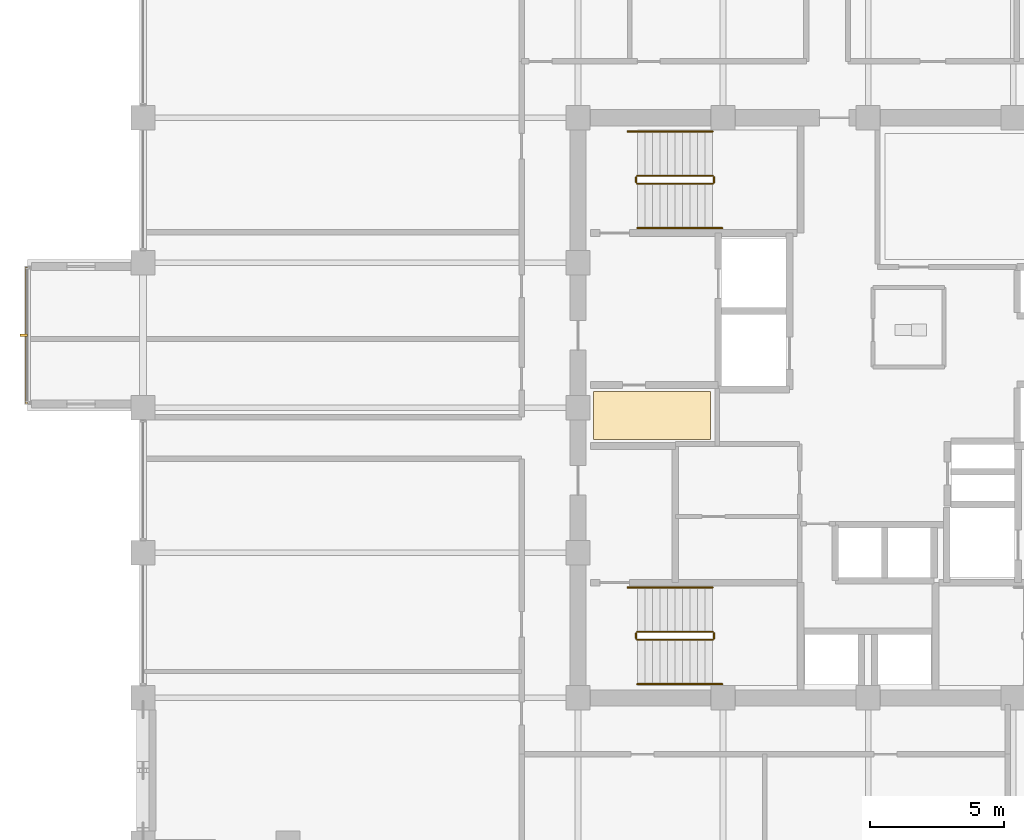
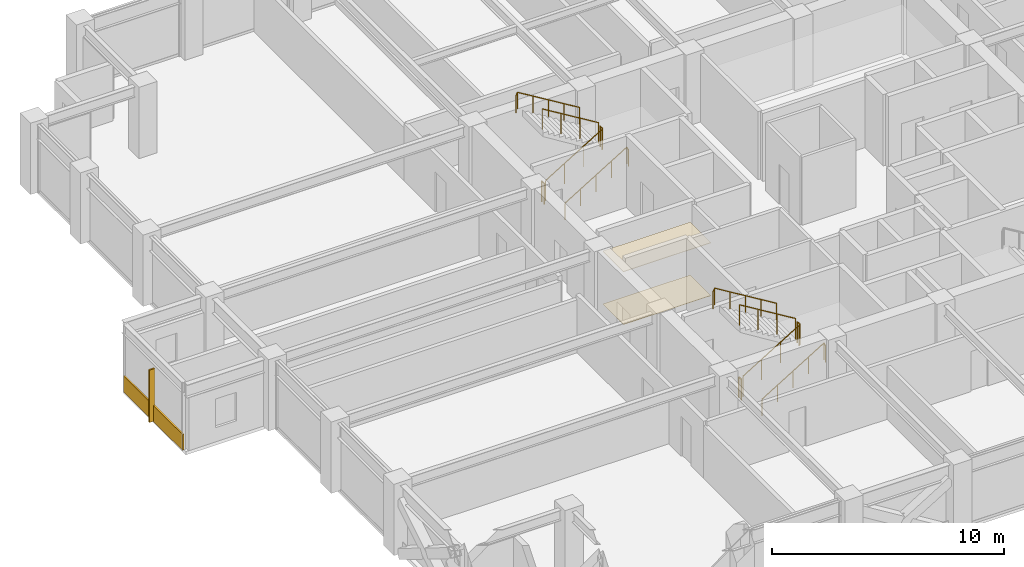
# One storey, part 26 of 28: 12 railings, 3 coverings, 1 shading device.
"""IFC4 building model written with IfcOpenShell, lengths in metres."""

from ifc_helpers import new_model, si_unit, direction, frame, origin, origin_2d, place, context, subcontext, project, spatial, polyline, rectangle, circle, outline, extrude, material, layer, layer_set, type_object, element, save


model = new_model("IFC4")

# Units and contexts
model_context = context("Model", 3, precision=1e-05, world=origin(), true_north=direction((0.0, 1.0)))
body_context = subcontext(model_context, "Body", "Model", "MODEL_VIEW")
ifc_project = project(units=[si_unit("LENGTHUNIT", "METRE"), si_unit("AREAUNIT", "SQUARE_METRE"), si_unit("VOLUMEUNIT", "CUBIC_METRE"), si_unit("PLANEANGLEUNIT", "RADIAN"), si_unit("MASSUNIT", "GRAM", prefix="KILO")], contexts=[model_context])

# Site, building, storey
site_placement = place(None, origin())
site = spatial("IfcSite", under=ifc_project, at=site_placement, CompositionType="ELEMENT")
building_placement = place(site_placement, origin())
building = spatial("IfcBuilding", under=site, at=building_placement, Name="Surkhivell Harbour Commons", CompositionType="ELEMENT")
storey_placement = place(building_placement, frame((0.0, 0.0, 174.75)))
storey = spatial("IfcBuildingStorey", under=building, at=storey_placement, Name="L45", CompositionType="ELEMENT", Elevation=174.75)

# Coverings
ifc_material_1 = material(Name="Perforated acoustic mineral-fibre ceiling tile", Category="other")
ifc_layer_1 = layer(ifc_material_1, 0.02490234375)
ifc_layer_set_1 = layer_set([ifc_layer_1], Name="Perforated acoustic mineral-fibre ceiling tile")
covering_type_1 = type_object("IfcCoveringType", Name="COV-CEIL-AC", PredefinedType="CEILING", material=ifc_layer_set_1)
covering_1_placement = place(storey_placement, frame((0.0, 0.0, 2.77490234375)))
element("IfcCovering", 1, at=covering_1_placement, inside=storey, type_object=covering_type_1, Name="L45 Suspended Acoustic Ceiling 1", PredefinedType="CEILING", context=body_context, shape_type="SweptSolid", body=[
    extrude(outline(polyline([(-10.219970703125, -1.179931640625), (-5.8701171875, -1.179931640625), (-5.8701171875, 0.60009765625), (-10.219970703125, 0.60009765625), (-10.219970703125, -1.179931640625)])), origin(), (0.0, 0.0, 1.0), 0.025146484375),
])
ifc_material_2 = material(Name="Cobalt-azure enamelled aluminium cassette panel", Category="aluminium")
ifc_layer_2 = layer(ifc_material_2, 0.072021484375)
ifc_layer_set_2 = layer_set([ifc_layer_2], Name="Cobalt-azure enamelled aluminium cassette panel")
covering_type_2 = type_object("IfcCoveringType", Name="COV-CLAD-COB", PredefinedType="CLADDING", material=ifc_layer_set_2)
covering_2_placement = place(storey_placement, frame((-31.340087890625, 2.699951171875, 0.0), z_axis=(0.0, 0.0, 1.0), x_axis=(1.0, 0.0, 0.0)))
element("IfcCovering", 2, at=covering_2_placement, inside=storey, type_object=covering_type_2, Name="L45 Coloured-Panel Box Spandrel Cassette 02", PredefinedType="CLADDING", context=body_context, shape_type="SweptSolid", body=[
    extrude(rectangle(XDim=0.080078125, YDim=5.10009765625, at=origin_2d()), origin(), (0.0, 0.0, 1.0), 0.840087890625),
])
ifc_material_3 = material(Name="Engineered acoustic oak timber flooring", Category="wood")
ifc_layer_3 = layer(ifc_material_3, 0.02001953125)
ifc_layer_set_3 = layer_set([ifc_layer_3], Name="Engineered acoustic oak timber flooring")
covering_type_3 = type_object("IfcCoveringType", Name="COV-FLR-TIM", PredefinedType="FLOORING", material=ifc_layer_set_3)
covering_3_placement = place(storey_placement, origin())
element("IfcCovering", 3, at=covering_3_placement, inside=storey, type_object=covering_type_3, Name="L45 Interior Floor Finish 1", PredefinedType="FLOORING", context=body_context, shape_type="SweptSolid", body=[
    extrude(outline(polyline([(-10.219970703125, -1.179931640625), (-5.8701171875, -1.179931640625), (-5.8701171875, 0.60009765625), (-10.219970703125, 0.60009765625), (-10.219970703125, -1.179931640625)])), origin(), (0.0, 0.0, 1.0), 0.02001953125),
])

# Railings
ifc_material_4 = material(Name="Galvanised and painted steel S355 guard rail", Category="steel")
railing_type_1 = type_object("IfcRailingType", Name="RAL-ST-GRD1100", PredefinedType="GUARDRAIL", material=ifc_material_4)
railing_1_placement = place(storey_placement, frame((-8.590087890625, 8.340087890625, 0.17041015625)))
element("IfcRailing", 4, at=railing_1_placement, inside=storey, type_object=railing_type_1, Name="L45 ST1 stair guard 1", PredefinedType="GUARDRAIL", context=body_context, shape_type="SweptSolid", body=[
    extrude(circle(Radius=0.02392578125, at=origin_2d()), frame((0.0, 0.0, 1.076171875), z_axis=(0.854169791009, 0.0, 0.51999420009), x_axis=(0.0, 1.0, 0.0)), (0.0, 0.0, 1.0), 3.278076171875),
    extrude(circle(Radius=0.02099609375, at=origin_2d()), origin(), (0.0, 0.0, 1.0), 1.052001953125),
    extrude(circle(Radius=0.02099609375, at=origin_2d()), frame((0.933349609375, 0.0, 0.568115234375)), (0.0, 0.0, 1.0), 1.052001953125),
    extrude(circle(Radius=0.02099609375, at=origin_2d()), frame((1.86669921875, 0.0, 1.136474609375)), (0.0, 0.0, 1.0), 1.052001953125),
    extrude(circle(Radius=0.02099609375, at=origin_2d()), frame((2.800048828125, 0.0, 1.70458984375)), (0.0, 0.0, 1.0), 1.052001953125),
])
railing_2_placement = place(storey_placement, frame((-5.739990234375, 8.389892578125, 1.875)))
element("IfcRailing", 5, at=railing_2_placement, inside=storey, type_object=railing_type_1, Name="L45 ST1 stair guard 2", PredefinedType="GUARDRAIL", context=body_context, shape_type="SweptSolid", body=[
    extrude(circle(Radius=0.02392578125, at=origin_2d()), frame((0.0, 0.0, 1.076171875), z_axis=(0.0, 1.0, 0.0), x_axis=(-1.0, 0.0, 0.0)), (0.0, 0.0, 1.0), 0.2001953125),
    extrude(circle(Radius=0.02099609375, at=origin_2d()), origin(), (0.0, 0.0, 1.0), 1.052001953125),
    extrude(circle(Radius=0.02099609375, at=origin_2d()), frame((0.0, 0.2001953125, 0.0)), (0.0, 0.0, 1.0), 1.052001953125),
])
railing_3_placement = place(storey_placement, frame((-5.7900390625, 8.639892578125, 2.04541015625)))
element("IfcRailing", 6, at=railing_3_placement, inside=storey, type_object=railing_type_1, Name="L45 ST1 stair guard 3", PredefinedType="GUARDRAIL", context=body_context, shape_type="SweptSolid", body=[
    extrude(circle(Radius=0.02392578125, at=origin_2d()), frame((0.0, 0.0, 1.076171875), z_axis=(-0.854169791009, 0.0, 0.51999420009), x_axis=(0.0, -1.0, 0.0)), (0.0, 0.0, 1.0), 3.278076171875),
    extrude(circle(Radius=0.02099609375, at=origin_2d()), origin(), (0.0, 0.0, 1.0), 1.052001953125),
    extrude(circle(Radius=0.02099609375, at=origin_2d()), frame((-0.933349609375, 0.0, 0.568115234375)), (0.0, 0.0, 1.0), 1.052001953125),
    extrude(circle(Radius=0.02099609375, at=origin_2d()), frame((-1.86669921875, 0.0, 1.136474609375)), (0.0, 0.0, 1.0), 1.052001953125),
    extrude(circle(Radius=0.02099609375, at=origin_2d()), frame((-2.800048828125, 0.0, 1.70458984375)), (0.0, 0.0, 1.0), 1.052001953125),
])
railing_4_placement = place(storey_placement, frame((-8.639892578125, 8.389892578125, 0.0)))
element("IfcRailing", 7, at=railing_4_placement, inside=storey, type_object=railing_type_1, Name="L45 ST1 stair guard 4", PredefinedType="GUARDRAIL", context=body_context, shape_type="SweptSolid", body=[
    extrude(circle(Radius=0.02392578125, at=origin_2d()), frame((0.0, 0.0, 1.076171875), z_axis=(0.0, 1.0, 0.0), x_axis=(-1.0, 0.0, 0.0)), (0.0, 0.0, 1.0), 0.2001953125),
    extrude(circle(Radius=0.02099609375, at=origin_2d()), origin(), (0.0, 0.0, 1.0), 1.052001953125),
    extrude(circle(Radius=0.02099609375, at=origin_2d()), frame((0.0, 0.2001953125, 0.0)), (0.0, 0.0, 1.0), 1.052001953125),
])
railing_5_placement = place(storey_placement, frame((-8.590087890625, -8.639892578125, 0.17041015625)))
element("IfcRailing", 8, at=railing_5_placement, inside=storey, type_object=railing_type_1, Name="L45 ST3 stair guard 1", PredefinedType="GUARDRAIL", context=body_context, shape_type="SweptSolid", body=[
    extrude(circle(Radius=0.02392578125, at=origin_2d()), frame((0.0, 0.0, 1.076171875), z_axis=(0.854169791009, 0.0, 0.51999420009), x_axis=(0.0, 1.0, 0.0)), (0.0, 0.0, 1.0), 3.278076171875),
    extrude(circle(Radius=0.02099609375, at=origin_2d()), origin(), (0.0, 0.0, 1.0), 1.052001953125),
    extrude(circle(Radius=0.02099609375, at=origin_2d()), frame((0.933349609375, 0.0, 0.568115234375)), (0.0, 0.0, 1.0), 1.052001953125),
    extrude(circle(Radius=0.02099609375, at=origin_2d()), frame((1.86669921875, 0.0, 1.136474609375)), (0.0, 0.0, 1.0), 1.052001953125),
    extrude(circle(Radius=0.02099609375, at=origin_2d()), frame((2.800048828125, 0.0, 1.70458984375)), (0.0, 0.0, 1.0), 1.052001953125),
])
railing_6_placement = place(storey_placement, frame((-5.739990234375, -8.590087890625, 1.875)))
element("IfcRailing", 9, at=railing_6_placement, inside=storey, type_object=railing_type_1, Name="L45 ST3 stair guard 2", PredefinedType="GUARDRAIL", context=body_context, shape_type="SweptSolid", body=[
    extrude(circle(Radius=0.02392578125, at=origin_2d()), frame((0.0, 0.0, 1.076171875), z_axis=(0.0, 1.0, 0.0), x_axis=(-1.0, 0.0, 0.0)), (0.0, 0.0, 1.0), 0.2001953125),
    extrude(circle(Radius=0.02099609375, at=origin_2d()), origin(), (0.0, 0.0, 1.0), 1.052001953125),
    extrude(circle(Radius=0.02099609375, at=origin_2d()), frame((0.0, 0.2001953125, 0.0)), (0.0, 0.0, 1.0), 1.052001953125),
])
railing_7_placement = place(storey_placement, frame((-5.7900390625, -8.340087890625, 2.04541015625)))
element("IfcRailing", 10, at=railing_7_placement, inside=storey, type_object=railing_type_1, Name="L45 ST3 stair guard 3", PredefinedType="GUARDRAIL", context=body_context, shape_type="SweptSolid", body=[
    extrude(circle(Radius=0.02392578125, at=origin_2d()), frame((0.0, 0.0, 1.076171875), z_axis=(-0.854169791009, 0.0, 0.51999420009), x_axis=(0.0, -1.0, 0.0)), (0.0, 0.0, 1.0), 3.278076171875),
    extrude(circle(Radius=0.02099609375, at=origin_2d()), origin(), (0.0, 0.0, 1.0), 1.052001953125),
    extrude(circle(Radius=0.02099609375, at=origin_2d()), frame((-0.933349609375, 0.0, 0.568115234375)), (0.0, 0.0, 1.0), 1.052001953125),
    extrude(circle(Radius=0.02099609375, at=origin_2d()), frame((-1.86669921875, 0.0, 1.136474609375)), (0.0, 0.0, 1.0), 1.052001953125),
    extrude(circle(Radius=0.02099609375, at=origin_2d()), frame((-2.800048828125, 0.0, 1.70458984375)), (0.0, 0.0, 1.0), 1.052001953125),
])
railing_8_placement = place(storey_placement, frame((-8.639892578125, -8.590087890625, 0.0)))
element("IfcRailing", 11, at=railing_8_placement, inside=storey, type_object=railing_type_1, Name="L45 ST3 stair guard 4", PredefinedType="GUARDRAIL", context=body_context, shape_type="SweptSolid", body=[
    extrude(circle(Radius=0.02392578125, at=origin_2d()), frame((0.0, 0.0, 1.076171875), z_axis=(0.0, 1.0, 0.0), x_axis=(-1.0, 0.0, 0.0)), (0.0, 0.0, 1.0), 0.2001953125),
    extrude(circle(Radius=0.02099609375, at=origin_2d()), origin(), (0.0, 0.0, 1.0), 1.052001953125),
    extrude(circle(Radius=0.02099609375, at=origin_2d()), frame((0.0, 0.2001953125, 0.0)), (0.0, 0.0, 1.0), 1.052001953125),
])
ifc_material_5 = material(Name="Brushed stainless steel S355 handrail", Category="steel")
railing_type_2 = type_object("IfcRailingType", Name="RAL-ST-HND900", PredefinedType="HANDRAIL", material=ifc_material_5)
railing_9_placement = place(storey_placement, frame((-8.590087890625, 6.68994140625, 0.17041015625)))
element("IfcRailing", 12, at=railing_9_placement, inside=storey, type_object=railing_type_2, Name="L45 ST1 stair handrail 1", PredefinedType="HANDRAIL", context=body_context, shape_type="SweptSolid", body=[
    extrude(circle(Radius=0.02392578125, at=origin_2d()), frame((0.0, 0.0, 0.8759765625), z_axis=(0.854177636135, 0.0, 0.519981313056), x_axis=(0.0, 1.0, 0.0)), (0.0, 0.0, 1.0), 3.60595703125),
    extrude(circle(Radius=0.02392578125, at=origin_2d()), frame((3.080078125, 0.0, 2.7509765625), z_axis=(0.425297416671, 0.0, -0.905053648892), x_axis=(0.0, 1.0, 0.0)), (0.0, 0.0, 1.0), 0.188232421875),
    extrude(circle(Radius=0.02099609375, at=origin_2d()), origin(), (0.0, 0.0, 1.0), 0.851806640625),
    extrude(circle(Radius=0.02099609375, at=origin_2d()), frame((0.77001953125, 0.0, 0.46875)), (0.0, 0.0, 1.0), 0.851806640625),
    extrude(circle(Radius=0.02099609375, at=origin_2d()), frame((1.5400390625, 0.0, 0.9375)), (0.0, 0.0, 1.0), 0.851806640625),
    extrude(circle(Radius=0.02099609375, at=origin_2d()), frame((2.31005859375, 0.0, 1.40625)), (0.0, 0.0, 1.0), 0.851806640625),
    extrude(circle(Radius=0.02099609375, at=origin_2d()), frame((3.080078125, 0.0, 1.875)), (0.0, 0.0, 1.0), 0.851806640625),
    extrude(circle(Radius=0.02099609375, at=origin_2d()), frame((3.16015625, 0.0, 1.70458984375)), (0.0, 0.0, 1.0), 0.851806640625),
])
railing_10_placement = place(storey_placement, frame((-5.7900390625, 10.2900390625, 2.04541015625)))
element("IfcRailing", 13, at=railing_10_placement, inside=storey, type_object=railing_type_2, Name="L45 ST1 stair handrail 2", PredefinedType="HANDRAIL", context=body_context, shape_type="SweptSolid", body=[
    extrude(circle(Radius=0.02392578125, at=origin_2d()), frame((0.0, 0.0, 0.8759765625), z_axis=(-0.854177636135, 0.0, 0.519981313056), x_axis=(0.0, -1.0, 0.0)), (0.0, 0.0, 1.0), 3.60595703125),
    extrude(circle(Radius=0.02392578125, at=origin_2d()), frame((-3.080078125, 0.0, 2.7509765625), z_axis=(-0.424234432967, 0.0, -0.905552398199), x_axis=(0.0, -1.0, 0.0)), (0.0, 0.0, 1.0), 0.188232421875),
    extrude(circle(Radius=0.02099609375, at=origin_2d()), origin(), (0.0, 0.0, 1.0), 0.851806640625),
    extrude(circle(Radius=0.02099609375, at=origin_2d()), frame((-0.77001953125, 0.0, 0.46875)), (0.0, 0.0, 1.0), 0.851806640625),
    extrude(circle(Radius=0.02099609375, at=origin_2d()), frame((-1.5400390625, 0.0, 0.9375)), (0.0, 0.0, 1.0), 0.851806640625),
    extrude(circle(Radius=0.02099609375, at=origin_2d()), frame((-2.31005859375, 0.0, 1.40625)), (0.0, 0.0, 1.0), 0.851806640625),
    extrude(circle(Radius=0.02099609375, at=origin_2d()), frame((-3.080078125, 0.0, 1.875)), (0.0, 0.0, 1.0), 0.851806640625),
    extrude(circle(Radius=0.02099609375, at=origin_2d()), frame((-3.159912109375, 0.0, 1.70458984375)), (0.0, 0.0, 1.0), 0.851806640625),
])
railing_11_placement = place(storey_placement, frame((-8.590087890625, -10.2900390625, 0.17041015625)))
element("IfcRailing", 14, at=railing_11_placement, inside=storey, type_object=railing_type_2, Name="L45 ST3 stair handrail 1", PredefinedType="HANDRAIL", context=body_context, shape_type="SweptSolid", body=[
    extrude(circle(Radius=0.02392578125, at=origin_2d()), frame((0.0, 0.0, 0.8759765625), z_axis=(0.854177636135, 0.0, 0.519981313056), x_axis=(0.0, 1.0, 0.0)), (0.0, 0.0, 1.0), 3.60595703125),
    extrude(circle(Radius=0.02392578125, at=origin_2d()), frame((3.080078125, 0.0, 2.7509765625), z_axis=(0.425297416671, 0.0, -0.905053648892), x_axis=(0.0, 1.0, 0.0)), (0.0, 0.0, 1.0), 0.188232421875),
    extrude(circle(Radius=0.02099609375, at=origin_2d()), origin(), (0.0, 0.0, 1.0), 0.851806640625),
    extrude(circle(Radius=0.02099609375, at=origin_2d()), frame((0.77001953125, 0.0, 0.46875)), (0.0, 0.0, 1.0), 0.851806640625),
    extrude(circle(Radius=0.02099609375, at=origin_2d()), frame((1.5400390625, 0.0, 0.9375)), (0.0, 0.0, 1.0), 0.851806640625),
    extrude(circle(Radius=0.02099609375, at=origin_2d()), frame((2.31005859375, 0.0, 1.40625)), (0.0, 0.0, 1.0), 0.851806640625),
    extrude(circle(Radius=0.02099609375, at=origin_2d()), frame((3.080078125, 0.0, 1.875)), (0.0, 0.0, 1.0), 0.851806640625),
    extrude(circle(Radius=0.02099609375, at=origin_2d()), frame((3.16015625, 0.0, 1.70458984375)), (0.0, 0.0, 1.0), 0.851806640625),
])
railing_12_placement = place(storey_placement, frame((-5.7900390625, -6.68994140625, 2.04541015625)))
element("IfcRailing", 15, at=railing_12_placement, inside=storey, type_object=railing_type_2, Name="L45 ST3 stair handrail 2", PredefinedType="HANDRAIL", context=body_context, shape_type="SweptSolid", body=[
    extrude(circle(Radius=0.02392578125, at=origin_2d()), frame((0.0, 0.0, 0.8759765625), z_axis=(-0.854177636135, 0.0, 0.519981313056), x_axis=(0.0, -1.0, 0.0)), (0.0, 0.0, 1.0), 3.60595703125),
    extrude(circle(Radius=0.02392578125, at=origin_2d()), frame((-3.080078125, 0.0, 2.7509765625), z_axis=(-0.424234432967, 0.0, -0.905552398199), x_axis=(0.0, -1.0, 0.0)), (0.0, 0.0, 1.0), 0.188232421875),
    extrude(circle(Radius=0.02099609375, at=origin_2d()), origin(), (0.0, 0.0, 1.0), 0.851806640625),
    extrude(circle(Radius=0.02099609375, at=origin_2d()), frame((-0.77001953125, 0.0, 0.46875)), (0.0, 0.0, 1.0), 0.851806640625),
    extrude(circle(Radius=0.02099609375, at=origin_2d()), frame((-1.5400390625, 0.0, 0.9375)), (0.0, 0.0, 1.0), 0.851806640625),
    extrude(circle(Radius=0.02099609375, at=origin_2d()), frame((-2.31005859375, 0.0, 1.40625)), (0.0, 0.0, 1.0), 0.851806640625),
    extrude(circle(Radius=0.02099609375, at=origin_2d()), frame((-3.080078125, 0.0, 1.875)), (0.0, 0.0, 1.0), 0.851806640625),
    extrude(circle(Radius=0.02099609375, at=origin_2d()), frame((-3.159912109375, 0.0, 1.70458984375)), (0.0, 0.0, 1.0), 0.851806640625),
])

# Shading device
ifc_material_6 = material(Name="Champagne anodised aluminium solar fin", Category="aluminium")
shading_device_type = type_object("IfcShadingDeviceType", Name="SHD-FIN-SLIM", PredefinedType="USERDEFINED", material=ifc_material_6)
shading_device_placement = place(storey_placement, frame((-31.43994140625, 2.699951171875, 0.0048828125), z_axis=(0.0, 0.0, 1.0), x_axis=(1.0, 0.0, 0.0)))
element("IfcShadingDevice", 16, at=shading_device_placement, inside=storey, type_object=shading_device_type, Name="L45 Coloured-Box Solar Fin 02", ObjectType="FIN", PredefinedType="USERDEFINED", context=body_context, shape_type="SweptSolid", body=[
    extrude(rectangle(XDim=0.280029296875, YDim=0.080078125, at=origin_2d()), origin(), (0.0, 0.0, 1.0), 2.75),
])

save(model, "model.ifc")
